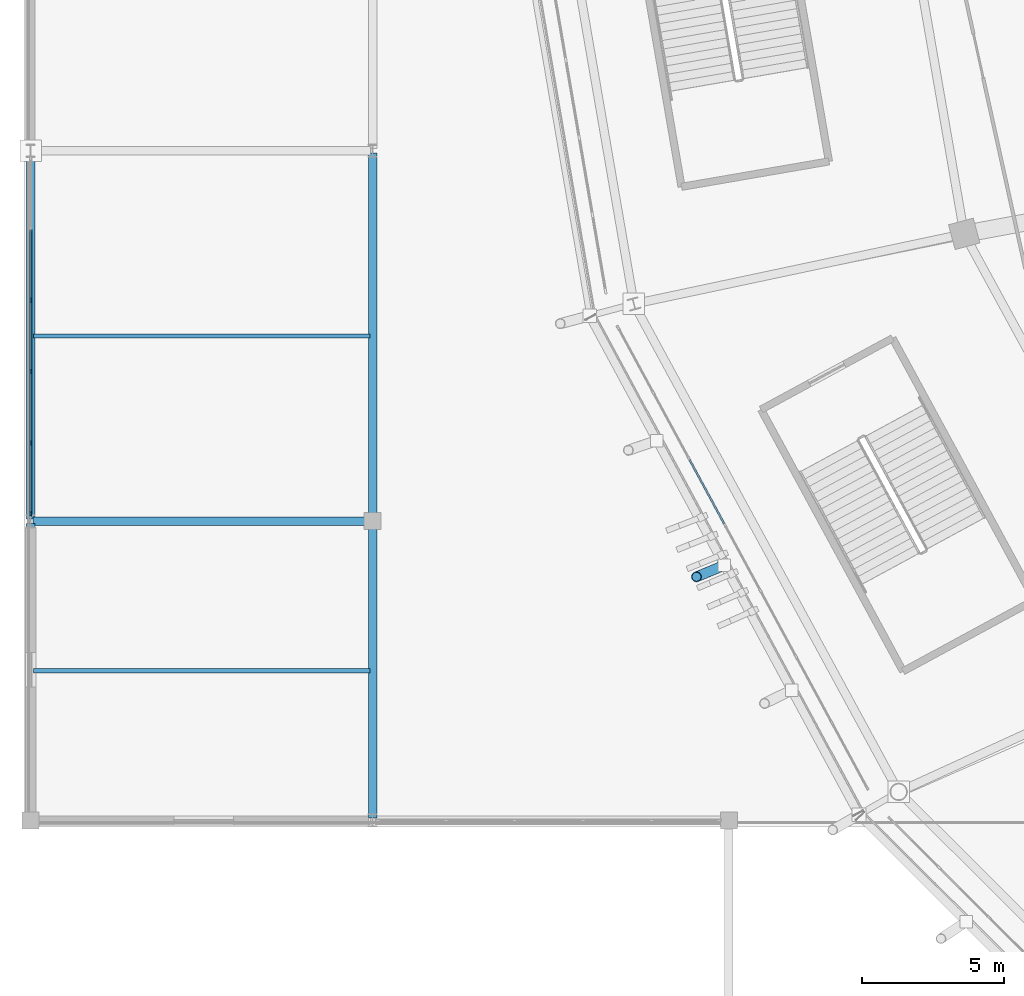
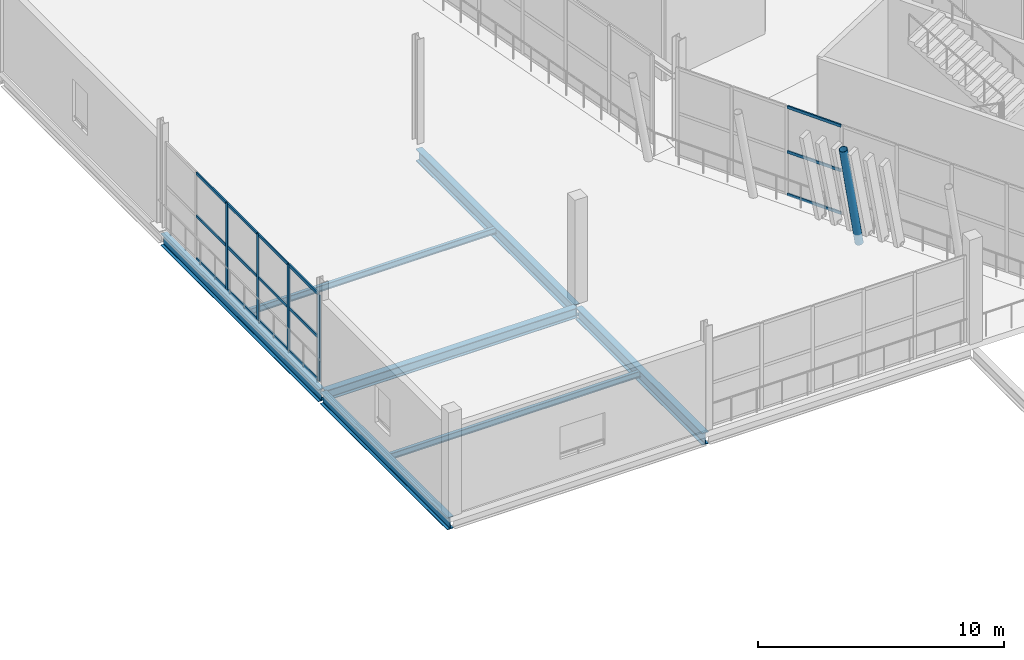
# One storey, part 28 of 178: 20 members, 7 beams, 2 elements without a shape of their own.
"""IFC4 building model written with IfcOpenShell, lengths in metres."""

from ifc_helpers import new_model, si_unit, direction, frame, origin, origin_2d, place, context, subcontext, project, spatial, rectangle, hollow_circle, i_section, extrude, material, material_profile, profile_set, type_object, element, aggregate, save


model = new_model("IFC4")

# Units and contexts
model_context = context("Model", 3, precision=1e-05, world=origin(), true_north=direction((0.0, 1.0)))
body_context = subcontext(model_context, "Body", "Model", "MODEL_VIEW")
ifc_project = project(units=[si_unit("LENGTHUNIT", "METRE"), si_unit("AREAUNIT", "SQUARE_METRE"), si_unit("VOLUMEUNIT", "CUBIC_METRE"), si_unit("PLANEANGLEUNIT", "RADIAN"), si_unit("MASSUNIT", "GRAM", prefix="KILO")], contexts=[model_context])

# Site, building, storey
site_placement = place(None, origin())
site = spatial("IfcSite", under=ifc_project, at=site_placement, CompositionType="ELEMENT")
building_placement = place(site_placement, origin())
building = spatial("IfcBuilding", under=site, at=building_placement, Name="Zlatoyarsky Gate Stadium", CompositionType="ELEMENT")
storey_placement = place(building_placement, frame((0.0, 0.0, 5.39990234375)))
storey = spatial("IfcBuildingStorey", under=building, at=storey_placement, Name="L01", CompositionType="ELEMENT", Elevation=5.39990234375)

# Curtain wall, members
ifc_material_1 = material(Name="Thermally broken anodised aluminium curtain wall", Category="aluminium")
curtain_wall_type_1 = type_object("IfcCurtainWallType", Name="WINTER GARDEN CONSERVATORY GLAZING", PredefinedType="USERDEFINED", material=ifc_material_1)
curtain_wall_1_placement = place(storey_placement, origin())
curtain_wall_1 = element("IfcCurtainWall", 1, at=curtain_wall_1_placement, inside=storey, type_object=curtain_wall_type_1, Name="Curtain wall CW-V4_WEST-L01-165", ObjectType="UNITISED GLAZING", PredefinedType="USERDEFINED")
ifc_material_2 = material(Name="Anodised aluminium 6063-T6", Category="aluminium")
ifc_material_profile_1 = material_profile(ifc_material_2, rectangle(XDim=0.06494140625, YDim=0.159912109375, at=origin_2d()), Name="ALU 65X160")
ifc_profile_set_1 = profile_set([ifc_material_profile_1], Name="Anodised aluminium 6063-T6")
member_type_1 = type_object("IfcMemberType", Name="ALUMINIUM MULLION 65X160", PredefinedType="MULLION", material=ifc_profile_set_1)
member_1_placement = place(storey_placement, frame((0.0, 54.26953125, 0.0), z_axis=(0.0, 0.0, 1.0), x_axis=(-1.0, 0.0, 0.0)))
member_1 = element("IfcMember", 2, at=member_1_placement, type_object=member_type_1, Name="CW-WG1 mullion 1", PredefinedType="MULLION", context=body_context, shape_type="SweptSolid", body=[
    extrude(rectangle(XDim=0.06494140625, YDim=0.159912109375, at=origin_2d()), origin(), (0.0, 0.0, 1.0), 4.300048828125),
])
member_2_placement = place(storey_placement, frame((0.0, 56.7421875, 0.0), z_axis=(0.0, 0.0, 1.0), x_axis=(-1.0, 0.0, 0.0)))
member_2 = element("IfcMember", 3, at=member_2_placement, type_object=member_type_1, Name="CW-WG1 mullion 2", PredefinedType="MULLION", context=body_context, shape_type="SweptSolid", body=[
    extrude(rectangle(XDim=0.06494140625, YDim=0.159912109375, at=origin_2d()), origin(), (0.0, 0.0, 1.0), 4.300048828125),
])
member_3_placement = place(storey_placement, frame((0.0, 59.247314453125, 0.0), z_axis=(0.0, 0.0, 1.0), x_axis=(-1.0, 0.0, 0.0)))
member_3 = element("IfcMember", 4, at=member_3_placement, type_object=member_type_1, Name="CW-WG1 mullion 3", PredefinedType="MULLION", context=body_context, shape_type="SweptSolid", body=[
    extrude(rectangle(XDim=0.06494140625, YDim=0.159912109375, at=origin_2d()), origin(), (0.0, 0.0, 1.0), 4.300048828125),
])
member_4_placement = place(storey_placement, frame((0.0, 61.752685546875, 0.0), z_axis=(0.0, 0.0, 1.0), x_axis=(-1.0, 0.0, 0.0)))
member_4 = element("IfcMember", 5, at=member_4_placement, type_object=member_type_1, Name="CW-WG1 mullion 4", PredefinedType="MULLION", context=body_context, shape_type="SweptSolid", body=[
    extrude(rectangle(XDim=0.06494140625, YDim=0.159912109375, at=origin_2d()), origin(), (0.0, 0.0, 1.0), 4.300048828125),
])

curtain_wall_type_2 = type_object("IfcCurtainWallType", Name="UNITISED HOSPITALITY GLAZING L01", PredefinedType="USERDEFINED", material=ifc_material_1)
curtain_wall_2_placement = place(storey_placement, origin())
curtain_wall_2 = element("IfcCurtainWall", 6, at=curtain_wall_2_placement, inside=storey, type_object=curtain_wall_type_2, Name="Curtain wall CW-L01-13", ObjectType="UNITISED GLAZING", PredefinedType="USERDEFINED")
ifc_material_profile_2 = material_profile(ifc_material_2, rectangle(XDim=0.06494140625, YDim=0.139892578125, at=origin_2d()), Name="ALU 65X140")
ifc_profile_set_2 = profile_set([ifc_material_profile_2], Name="Anodised aluminium 6063-T6")
member_type_2 = type_object("IfcMemberType", Name="ALUMINIUM TRANSOM 65X140", PredefinedType="USERDEFINED", material=ifc_profile_set_2)
member_5_placement = place(storey_placement, frame((23.119873046875, 56.159912109375, 0.03271484375), z_axis=(0.475789628306, -0.879559110916, 0.0), x_axis=(0.879559110916, 0.475789628306, 0.0)))
member_5 = element("IfcMember", 7, at=member_5_placement, type_object=member_type_2, Name="CW-UG1 transom 3.1", ObjectType="TRANSOM", PredefinedType="USERDEFINED", context=body_context, shape_type="SweptSolid", body=[
    extrude(rectangle(XDim=0.06494140625, YDim=0.139892578125, at=origin_2d()), origin(), (0.0, 0.0, 1.0), 2.566162109375),
])
member_6_placement = place(storey_placement, frame((23.119873046875, 56.159912109375, 2.150146484375), z_axis=(0.475789628306, -0.879559110916, 0.0), x_axis=(0.879559110916, 0.475789628306, 0.0)))
member_6 = element("IfcMember", 8, at=member_6_placement, type_object=member_type_2, Name="CW-UG1 transom 3.2", ObjectType="TRANSOM", PredefinedType="USERDEFINED", context=body_context, shape_type="SweptSolid", body=[
    extrude(rectangle(XDim=0.06494140625, YDim=0.139892578125, at=origin_2d()), origin(), (0.0, 0.0, 1.0), 2.566162109375),
])
member_7_placement = place(storey_placement, frame((23.119873046875, 56.159912109375, 4.36767578125), z_axis=(0.475789628306, -0.879559110916, 0.0), x_axis=(0.879559110916, 0.475789628306, 0.0)))
member_7 = element("IfcMember", 9, at=member_7_placement, type_object=member_type_2, Name="CW-UG1 transom 3.3", ObjectType="TRANSOM", PredefinedType="USERDEFINED", context=body_context, shape_type="SweptSolid", body=[
    extrude(rectangle(XDim=0.06494140625, YDim=0.139892578125, at=origin_2d()), origin(), (0.0, 0.0, 1.0), 2.566162109375),
])
aggregate(curtain_wall_2, [member_5, member_6, member_7])

# Member
member_8_placement = place(storey_placement, frame((0.0, 54.302001953125, 0.03271484375), z_axis=(0.0, 1.0, 0.0), x_axis=(-1.0, 0.0, 0.0)))
member_8 = element("IfcMember", 10, at=member_8_placement, type_object=member_type_2, Name="CW-WG1 transom 1.1", ObjectType="TRANSOM", PredefinedType="USERDEFINED", context=body_context, shape_type="SweptSolid", body=[
    extrude(rectangle(XDim=0.06494140625, YDim=0.139892578125, at=origin_2d()), origin(), (0.0, 0.0, 1.0), 2.40771484375),
])

member_9_placement = place(storey_placement, frame((0.0, 54.302001953125, 2.150146484375), z_axis=(0.0, 1.0, 0.0), x_axis=(-1.0, 0.0, 0.0)))
member_9 = element("IfcMember", 11, at=member_9_placement, type_object=member_type_2, Name="CW-WG1 transom 1.2", ObjectType="TRANSOM", PredefinedType="USERDEFINED", context=body_context, shape_type="SweptSolid", body=[
    extrude(rectangle(XDim=0.06494140625, YDim=0.139892578125, at=origin_2d()), origin(), (0.0, 0.0, 1.0), 2.40771484375),
])

member_10_placement = place(storey_placement, frame((0.0, 54.302001953125, 4.267578125), z_axis=(0.0, 1.0, 0.0), x_axis=(-1.0, 0.0, 0.0)))
member_10 = element("IfcMember", 12, at=member_10_placement, type_object=member_type_2, Name="CW-WG1 transom 1.3", ObjectType="TRANSOM", PredefinedType="USERDEFINED", context=body_context, shape_type="SweptSolid", body=[
    extrude(rectangle(XDim=0.06494140625, YDim=0.139892578125, at=origin_2d()), origin(), (0.0, 0.0, 1.0), 2.40771484375),
])

member_11_placement = place(storey_placement, frame((0.0, 56.774658203125, 0.03271484375), z_axis=(0.0, 1.0, 0.0), x_axis=(-1.0, 0.0, 0.0)))
member_11 = element("IfcMember", 13, at=member_11_placement, type_object=member_type_2, Name="CW-WG1 transom 2.1", ObjectType="TRANSOM", PredefinedType="USERDEFINED", context=body_context, shape_type="SweptSolid", body=[
    extrude(rectangle(XDim=0.06494140625, YDim=0.139892578125, at=origin_2d()), origin(), (0.0, 0.0, 1.0), 2.440185546875),
])

member_12_placement = place(storey_placement, frame((0.0, 56.774658203125, 2.150146484375), z_axis=(0.0, 1.0, 0.0), x_axis=(-1.0, 0.0, 0.0)))
member_12 = element("IfcMember", 14, at=member_12_placement, type_object=member_type_2, Name="CW-WG1 transom 2.2", ObjectType="TRANSOM", PredefinedType="USERDEFINED", context=body_context, shape_type="SweptSolid", body=[
    extrude(rectangle(XDim=0.06494140625, YDim=0.139892578125, at=origin_2d()), origin(), (0.0, 0.0, 1.0), 2.440185546875),
])

member_13_placement = place(storey_placement, frame((0.0, 56.774658203125, 4.267578125), z_axis=(0.0, 1.0, 0.0), x_axis=(-1.0, 0.0, 0.0)))
member_13 = element("IfcMember", 15, at=member_13_placement, type_object=member_type_2, Name="CW-WG1 transom 2.3", ObjectType="TRANSOM", PredefinedType="USERDEFINED", context=body_context, shape_type="SweptSolid", body=[
    extrude(rectangle(XDim=0.06494140625, YDim=0.139892578125, at=origin_2d()), origin(), (0.0, 0.0, 1.0), 2.440185546875),
])

member_14_placement = place(storey_placement, frame((0.0, 59.27978515625, 0.03271484375), z_axis=(0.0, 1.0, 0.0), x_axis=(-1.0, 0.0, 0.0)))
member_14 = element("IfcMember", 16, at=member_14_placement, type_object=member_type_2, Name="CW-WG1 transom 3.1", ObjectType="TRANSOM", PredefinedType="USERDEFINED", context=body_context, shape_type="SweptSolid", body=[
    extrude(rectangle(XDim=0.06494140625, YDim=0.139892578125, at=origin_2d()), origin(), (0.0, 0.0, 1.0), 2.4404296875),
])

member_15_placement = place(storey_placement, frame((0.0, 59.27978515625, 2.150146484375), z_axis=(0.0, 1.0, 0.0), x_axis=(-1.0, 0.0, 0.0)))
member_15 = element("IfcMember", 17, at=member_15_placement, type_object=member_type_2, Name="CW-WG1 transom 3.2", ObjectType="TRANSOM", PredefinedType="USERDEFINED", context=body_context, shape_type="SweptSolid", body=[
    extrude(rectangle(XDim=0.06494140625, YDim=0.139892578125, at=origin_2d()), origin(), (0.0, 0.0, 1.0), 2.4404296875),
])

member_16_placement = place(storey_placement, frame((0.0, 59.27978515625, 4.267578125), z_axis=(0.0, 1.0, 0.0), x_axis=(-1.0, 0.0, 0.0)))
member_16 = element("IfcMember", 18, at=member_16_placement, type_object=member_type_2, Name="CW-WG1 transom 3.3", ObjectType="TRANSOM", PredefinedType="USERDEFINED", context=body_context, shape_type="SweptSolid", body=[
    extrude(rectangle(XDim=0.06494140625, YDim=0.139892578125, at=origin_2d()), origin(), (0.0, 0.0, 1.0), 2.4404296875),
])

member_17_placement = place(storey_placement, frame((0.0, 61.78515625, 0.03271484375), z_axis=(0.0, 1.0, 0.0), x_axis=(-1.0, 0.0, 0.0)))
member_17 = element("IfcMember", 19, at=member_17_placement, type_object=member_type_2, Name="CW-WG1 transom 4.1", ObjectType="TRANSOM", PredefinedType="USERDEFINED", context=body_context, shape_type="SweptSolid", body=[
    extrude(rectangle(XDim=0.06494140625, YDim=0.139892578125, at=origin_2d()), origin(), (0.0, 0.0, 1.0), 2.440185546875),
])

member_18_placement = place(storey_placement, frame((0.0, 61.78515625, 2.150146484375), z_axis=(0.0, 1.0, 0.0), x_axis=(-1.0, 0.0, 0.0)))
member_18 = element("IfcMember", 20, at=member_18_placement, type_object=member_type_2, Name="CW-WG1 transom 4.2", ObjectType="TRANSOM", PredefinedType="USERDEFINED", context=body_context, shape_type="SweptSolid", body=[
    extrude(rectangle(XDim=0.06494140625, YDim=0.139892578125, at=origin_2d()), origin(), (0.0, 0.0, 1.0), 2.440185546875),
])

member_19_placement = place(storey_placement, frame((0.0, 61.78515625, 4.267578125), z_axis=(0.0, 1.0, 0.0), x_axis=(-1.0, 0.0, 0.0)))
member_19 = element("IfcMember", 21, at=member_19_placement, type_object=member_type_2, Name="CW-WG1 transom 4.3", ObjectType="TRANSOM", PredefinedType="USERDEFINED", context=body_context, shape_type="SweptSolid", body=[
    extrude(rectangle(XDim=0.06494140625, YDim=0.139892578125, at=origin_2d()), origin(), (0.0, 0.0, 1.0), 2.440185546875),
])

aggregate(curtain_wall_1, [member_1, member_2, member_3, member_4, member_8, member_9, member_10, member_11, member_12, member_13, member_14, member_15, member_16, member_17, member_18, member_19])

ifc_material_3 = material(Name="Steel S355", Category="steel")
ifc_material_profile_3 = material_profile(ifc_material_3, hollow_circle(Radius=0.177734375, WallThickness=0.02001953125, at=origin_2d()), Name="CHS 355.6X20")
ifc_profile_set_3 = profile_set([ifc_material_profile_3], Name="Steel S355")
member_type_3 = type_object("IfcMemberType", Name="STEEL LEANING RIB RING STRUT CHS 355.6X20", PredefinedType="STRUT", material=ifc_profile_set_3)
member_20_placement = place(storey_placement, frame((24.3408203125, 52.45166015625, -0.5498046875), z_axis=(-0.183536253805, -0.07604561565, 0.98006709356), x_axis=(0.382779713358, -0.923839645741, 0.0)))
element("IfcMember", 22, at=member_20_placement, inside=storey, type_object=member_type_3, Name="Outward-leaning bowl louvre fin rib L01 13-2", PredefinedType="STRUT", context=body_context, shape_type="SweptSolid", body=[
    extrude(hollow_circle(Radius=0.177734375, WallThickness=0.02001953125, at=origin_2d()), origin(), (0.0, 0.0, 1.0), 5.326171875),
])

# Beams
ifc_material_profile_4 = material_profile(ifc_material_3, i_section(OverallWidth=0.300048828125, OverallDepth=0.5, WebThickness=0.014404296875, FlangeThickness=0.028076171875, FilletRadius=0.027099609375, at=origin_2d()), Name="HEB 500")
ifc_profile_set_4 = profile_set([ifc_material_profile_4], Name="Steel S355")
beam_type_1 = type_object("IfcBeamType", Name="STEEL PRIMARY GIRDER HEB 500", PredefinedType="BEAM", material=ifc_profile_set_4)
beam_1_placement = place(storey_placement, frame((0.080078125, 54.0, -0.5498046875), z_axis=(1.0, 0.0, 0.0), x_axis=(0.0, 1.0, 0.0)))
element("IfcBeam", 23, at=beam_1_placement, inside=storey, type_object=beam_type_1, Name="Beam G-HEB500 BM-L01-WGX-1-F", PredefinedType="BEAM", context=body_context, shape_type="SweptSolid", body=[
    extrude(i_section(OverallWidth=0.300048828125, OverallDepth=0.5, WebThickness=0.014404296875, FlangeThickness=0.028076171875, FilletRadius=0.027099609375, at=origin_2d()), origin(), (0.0, 0.0, 1.0), 11.83984375),
])
ifc_material_profile_5 = material_profile(ifc_material_3, i_section(OverallWidth=0.300048828125, OverallDepth=0.60009765625, WebThickness=0.015380859375, FlangeThickness=0.030029296875, FilletRadius=0.027099609375, at=origin_2d()), Name="HEB 600")
ifc_profile_set_5 = profile_set([ifc_material_profile_5], Name="Steel S355")
beam_type_2 = type_object("IfcBeamType", Name="STEEL PRIMARY GIRDER HEB 600", PredefinedType="BEAM", material=ifc_profile_set_5)
beam_2_placement = place(storey_placement, frame((0.0, 43.580078125, -0.599853515625), z_axis=(0.0, 1.0, 0.0), x_axis=(-1.0, 0.0, 0.0)))
element("IfcBeam", 24, at=beam_2_placement, inside=storey, type_object=beam_type_2, Name="Beam G-HEB600 BM-L01-WGY-1-E", PredefinedType="BEAM", context=body_context, shape_type="SweptSolid", body=[
    extrude(i_section(OverallWidth=0.300048828125, OverallDepth=0.60009765625, WebThickness=0.015380859375, FlangeThickness=0.030029296875, FilletRadius=0.027099609375, at=origin_2d()), origin(), (0.0, 0.0, 1.0), 10.33984375),
])
beam_3_placement = place(storey_placement, frame((0.0, 54.080078125, -0.599853515625), z_axis=(0.0, 1.0, 0.0), x_axis=(-1.0, 0.0, 0.0)))
element("IfcBeam", 25, at=beam_3_placement, inside=storey, type_object=beam_type_2, Name="Beam G-HEB600 BM-L01-WGY-1-F", PredefinedType="BEAM", context=body_context, shape_type="SweptSolid", body=[
    extrude(i_section(OverallWidth=0.300048828125, OverallDepth=0.60009765625, WebThickness=0.015380859375, FlangeThickness=0.030029296875, FilletRadius=0.027099609375, at=origin_2d()), origin(), (0.0, 0.0, 1.0), 12.83984375),
])
beam_4_placement = place(storey_placement, frame((12.0, 43.580078125, -0.599853515625), z_axis=(0.0, 1.0, 0.0), x_axis=(-1.0, 0.0, 0.0)))
element("IfcBeam", 26, at=beam_4_placement, inside=storey, type_object=beam_type_2, Name="Beam G-HEB600 BM-L01-WGY-2-E", PredefinedType="BEAM", context=body_context, shape_type="SweptSolid", body=[
    extrude(i_section(OverallWidth=0.300048828125, OverallDepth=0.60009765625, WebThickness=0.015380859375, FlangeThickness=0.030029296875, FilletRadius=0.027099609375, at=origin_2d()), origin(), (0.0, 0.0, 1.0), 10.33984375),
])
beam_5_placement = place(storey_placement, frame((12.0, 54.080078125, -0.599853515625), z_axis=(0.0, 1.0, 0.0), x_axis=(-1.0, 0.0, 0.0)))
element("IfcBeam", 27, at=beam_5_placement, inside=storey, type_object=beam_type_2, Name="Beam G-HEB600 BM-L01-WGY-2-F", PredefinedType="BEAM", context=body_context, shape_type="SweptSolid", body=[
    extrude(i_section(OverallWidth=0.300048828125, OverallDepth=0.60009765625, WebThickness=0.015380859375, FlangeThickness=0.030029296875, FilletRadius=0.027099609375, at=origin_2d()), origin(), (0.0, 0.0, 1.0), 12.83984375),
])
ifc_material_profile_6 = material_profile(ifc_material_3, i_section(OverallWidth=0.14990234375, OverallDepth=0.300048828125, WebThickness=0.007080078125, FlangeThickness=0.0107421875, FilletRadius=0.014892578125, at=origin_2d()), Name="IPE 300")
ifc_profile_set_6 = profile_set([ifc_material_profile_6], Name="Steel S355")
beam_type_3 = type_object("IfcBeamType", Name="STEEL SECONDARY JOIST IPE 300", PredefinedType="JOIST", material=ifc_profile_set_6)
for number, where, z_axis, x_axis, name in (
    (28, (0.090087890625, 48.75, -0.449951171875), (1.0, 0.0, 0.0), (0.0, 1.0, 0.0), "Beam J-IPE300 JST-L01-1-E"),
    (29, (0.090087890625, 60.5, -0.449951171875), (1.0, 0.0, 0.0), (0.0, 1.0, 0.0), "Beam J-IPE300 JST-L01-1-F"),
):
    element("IfcBeam", number, at=place(storey_placement, frame(where, z_axis=z_axis, x_axis=x_axis)), inside=storey, type_object=beam_type_3, Name=name, PredefinedType="JOIST", context=body_context, shape_type="SweptSolid", body=[
        extrude(i_section(OverallWidth=0.14990234375, OverallDepth=0.300048828125, WebThickness=0.007080078125, FlangeThickness=0.0107421875, FilletRadius=0.014892578125, at=origin_2d()), origin(), (0.0, 0.0, 1.0), 11.81982421875),
    ])

save(model, "model.ifc")
